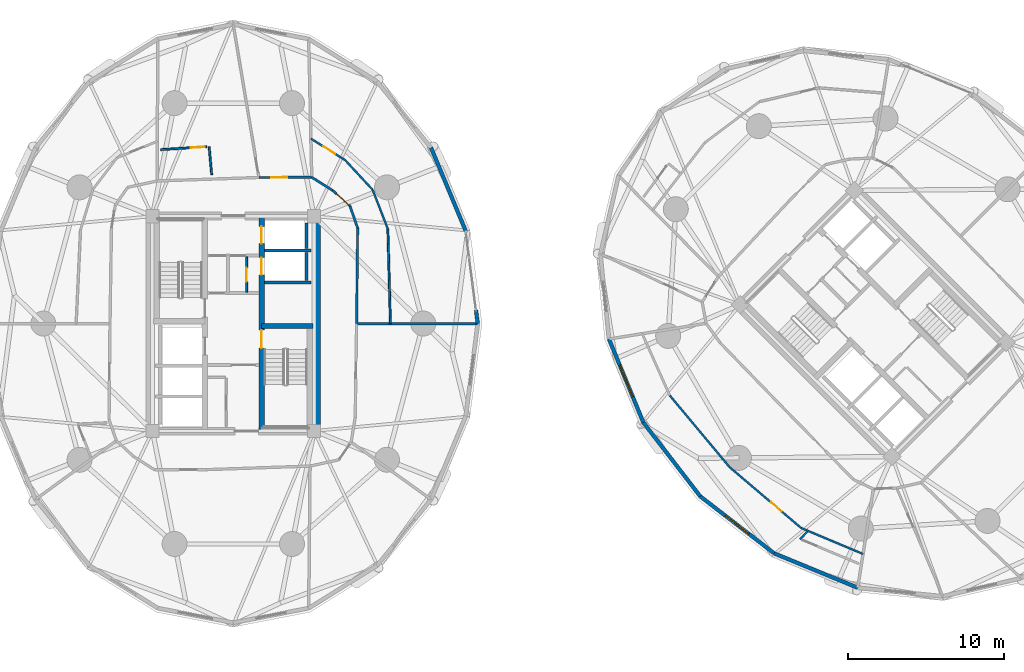
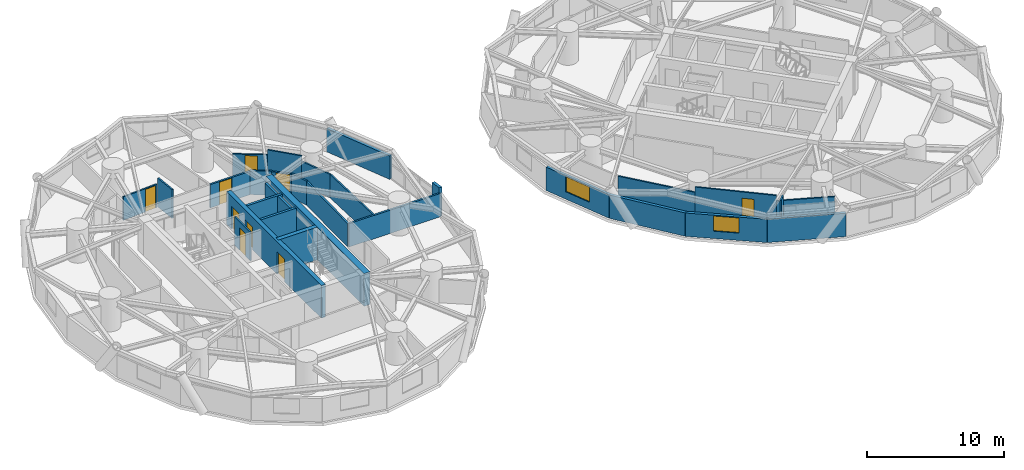
# One storey, part 10 of 16: 30 walls, 9 doors, 2 windows, 11 openings.
"""IFC4 building model written with IfcOpenShell, lengths in metres."""

from ifc_helpers import new_model, si_unit, direction, frame, frame_2d, origin, place, context, subcontext, project, spatial, rectangle, extrude, source, transform, mapped, material, layer, layer_set, type_object, element, fill, save


model = new_model("IFC4")

# Units and contexts
model_context = context("Model", 3, precision=1e-05, world=origin(), true_north=direction((0.0, 1.0)))
body_context = subcontext(model_context, "Body", "Model", "MODEL_VIEW")
ifc_project = project(units=[si_unit("LENGTHUNIT", "METRE"), si_unit("AREAUNIT", "SQUARE_METRE"), si_unit("VOLUMEUNIT", "CUBIC_METRE"), si_unit("PLANEANGLEUNIT", "RADIAN"), si_unit("MASSUNIT", "GRAM", prefix="KILO")], contexts=[model_context])

# Site, building, storey
site_placement = place(None, origin())
site = spatial("IfcSite", under=ifc_project, at=site_placement, CompositionType="ELEMENT")
building_placement = place(site_placement, origin())
building = spatial("IfcBuilding", under=site, at=building_placement, Name="Cununo Teusaquillo Station Towers", CompositionType="ELEMENT")
storey_placement = place(building_placement, frame((0.0, 0.0, 62.739990234375)))
storey = spatial("IfcBuildingStorey", under=building, at=storey_placement, Name="L19", CompositionType="ELEMENT", Elevation=62.739990234375)

# Walls
ifc_material_1 = material(Name="Concrete C50/60", Category="concrete")
ifc_layer_1 = layer(ifc_material_1, 0.199951171875)
ifc_layer_set_1 = layer_set([ifc_layer_1], Name="Concrete C50/60")
wall_type_1 = type_object("IfcWallType", Name="WL-CORE-200", PredefinedType="SHEAR", material=ifc_layer_set_1)
for number, where, z_axis, x_axis, name in (
    (1, (18.510009765625, 27.1298828125, 0.0), (0.0, 0.0, 1.0), (1.0, 0.0, 0.0), "L19 Tower A Low-Rise Lift Hoistway South Shear Wall"),
    (2, (18.510009765625, 29.175048828125, 0.0), (0.0, 0.0, 1.0), (1.0, 0.0, 0.0), "L19 Tower A Low-Rise Lift Hoistway Divider Shear Wall"),
):
    element("IfcWall", number, at=place(storey_placement, frame(where, z_axis=z_axis, x_axis=x_axis)), inside=storey, type_object=wall_type_1, Name=name, PredefinedType="SHEAR", context=body_context, shape_type="SweptSolid", body=[
        extrude(rectangle(XDim=2.969970703125, YDim=0.199951171875, at=frame_2d((1.48486328125, 0.0))), origin(), (0.0, 0.0, 1.0), 2.909912109375),
    ])
wall_1_placement = place(storey_placement, frame((21.179931640625, 27.25, 0.0), z_axis=(0.0, 0.0, 1.0), x_axis=(0.0, 1.0, 0.0)))
element("IfcWall", 3, at=wall_1_placement, inside=storey, type_object=wall_type_1, Name="L19 Tower A Low-Rise Lift 1 Shaft Rear Shear Wall", PredefinedType="SHEAR", context=body_context, shape_type="SweptSolid", body=[
    extrude(rectangle(XDim=1.804931640625, YDim=0.199951171875, at=frame_2d((0.90234375, 0.0))), origin(), (0.0, 0.0, 1.0), 2.909912109375),
])
wall_2_placement = place(storey_placement, frame((21.179931640625, 29.294921875, 0.0), z_axis=(0.0, 0.0, 1.0), x_axis=(0.0, 1.0, 0.0)))
element("IfcWall", 4, at=wall_2_placement, inside=storey, type_object=wall_type_1, Name="L19 Tower A Low-Rise Lift 2 Shaft Rear Shear Wall", PredefinedType="SHEAR", context=body_context, shape_type="SweptSolid", body=[
    extrude(rectangle(XDim=1.635009765625, YDim=0.199951171875, at=frame_2d((0.8173828125, 0.0))), origin(), (0.0, 0.0, 1.0), 2.909912109375),
])

# Wall, openings, doors
ifc_material_2 = material(Name="Concrete C50/60", Category="concrete")
ifc_layer_2 = layer(ifc_material_2, 0.35009765625)
ifc_layer_set_2 = layer_set([ifc_layer_2], Name="Concrete C50/60")
wall_type_2 = type_object("IfcWallType", Name="WL-CORE-350", PredefinedType="SHEAR", material=ifc_layer_set_2)
wall_3_placement = place(storey_placement, frame((18.31494140625, 17.60009765625, 0.0), z_axis=(0.0, 0.0, 1.0), x_axis=(0.0, 1.0, 0.0)))
wall_3 = element("IfcWall", 5, at=wall_3_placement, inside=storey, type_object=wall_type_2, Name="L19 Tower A Core Shear Wall IE", PredefinedType="SHEAR", context=body_context, shape_type="SweptSolid", body=[
    extrude(rectangle(XDim=13.7998046875, YDim=0.35009765625, at=frame_2d((6.89990234375, 0.0))), origin(), (0.0, 0.0, 1.0), 2.909912109375),
])
shared_shape_1 = source(origin(), body_context, "Body", "SweptSolid", [
    extrude(rectangle(XDim=1.10009765625, YDim=2.014892578125, at=frame_2d((0.550048828125, 1.00732421875))), frame((0.0, 0.18505859375, 0.0), z_axis=(0.0, -1.0, 0.0), x_axis=(1.0, 0.0, 0.0)), (0.0, 0.0, 1.0), 0.3701171875),
])
opening_1_placement = place(wall_3_placement, frame((10.02490234375, 0.0, 0.0)))
opening_1 = element("IfcOpeningElement", 6, at=opening_1_placement, cuts=wall_3, Name="Opening LD-01", PredefinedType="OPENING", context=body_context, shape_type="MappedRepresentation", body=[
    mapped(shared_shape_1, transform((0.0, 0.0, 0.0), x_axis=(1.0, 0.0, 0.0), y_axis=(0.0, 1.0, 0.0), z_axis=(0.0, 0.0, 1.0), scale=1.0)),
])
opening_2_placement = place(wall_3_placement, frame((12.02490234375, 0.0, 0.0)))
opening_2 = element("IfcOpeningElement", 7, at=opening_2_placement, cuts=wall_3, Name="Opening LD-01", PredefinedType="OPENING", context=body_context, shape_type="MappedRepresentation", body=[
    mapped(shared_shape_1, transform((0.0, 0.0, 0.0), x_axis=(1.0, 0.0, 0.0), y_axis=(0.0, 1.0, 0.0), z_axis=(0.0, 0.0, 1.0), scale=1.0)),
])
shared_shape_2 = source(origin(), body_context, "Body", "SweptSolid", [
    extrude(rectangle(XDim=1.14990234375, YDim=2.02001953125, at=frame_2d((0.574951171875, 1.010009765625))), frame((0.0, 0.18505859375, 0.0), z_axis=(0.0, -1.0, 0.0), x_axis=(1.0, 0.0, 0.0)), (0.0, 0.0, 1.0), 0.3701171875),
])
opening_3_placement = place(wall_3_placement, frame((5.330078125, 0.0, 0.0)))
opening_3 = element("IfcOpeningElement", 8, at=opening_3_placement, cuts=wall_3, Name="Opening D-ST1", PredefinedType="OPENING", context=body_context, shape_type="MappedRepresentation", body=[
    mapped(shared_shape_2, transform((0.0, 0.0, 0.0), x_axis=(1.0, 0.0, 0.0), y_axis=(0.0, 1.0, 0.0), z_axis=(0.0, 0.0, 1.0), scale=1.0)),
])
ifc_material_3 = material(Name="Galvanised fire-rated hollow steel door assembly", Category="steel")
door_type_1 = type_object("IfcDoorType", Name="DR-LIFT-1100", OperationType="SLIDING_TO_LEFT", PredefinedType="DOOR", material=ifc_material_3)
shared_shape_3 = source(origin(), body_context, "Body", "SweptSolid", [
    extrude(rectangle(XDim=1.10009765625, YDim=2.014892578125, at=frame_2d((0.550048828125, 1.00732421875))), frame((0.0, 0.02490234375, 0.0), z_axis=(0.0, -1.0, 0.0), x_axis=(1.0, 0.0, 0.0)), (0.0, 0.0, 1.0), 0.050048828125),
])
door_1_placement = place(opening_1_placement, origin())
door_1 = element("IfcDoor", 9, at=door_1_placement, inside=storey, type_object=door_type_1, Name="L19 Lift PL-T1-L1 Sliding Landing Door", OperationType="SLIDING_TO_LEFT", OverallHeight=2.014892578125, OverallWidth=1.10009765625, PredefinedType="DOOR", context=body_context, shape_type="MappedRepresentation", body=[
    mapped(shared_shape_3, transform((0.0, 0.0, 0.0), x_axis=(1.0, 0.0, 0.0), y_axis=(0.0, 1.0, 0.0), z_axis=(0.0, 0.0, 1.0), scale=1.0)),
])
fill(opening_1, door_1)
door_2_placement = place(opening_2_placement, origin())
door_2 = element("IfcDoor", 10, at=door_2_placement, inside=storey, type_object=door_type_1, Name="L19 Lift PL-T1-L2 Sliding Landing Door", OperationType="SLIDING_TO_RIGHT", OverallHeight=2.014892578125, OverallWidth=1.10009765625, PredefinedType="DOOR", context=body_context, shape_type="MappedRepresentation", body=[
    mapped(shared_shape_3, transform((0.0, 0.0, 0.0), x_axis=(1.0, 0.0, 0.0), y_axis=(0.0, 1.0, 0.0), z_axis=(0.0, 0.0, 1.0), scale=1.0)),
])
fill(opening_2, door_2)
ifc_material_4 = material(Name="Galvanised fire-rated hollow steel door assembly", Category="steel")
door_type_2 = type_object("IfcDoorType", Name="DR-STAIR-1150", OperationType="NOTDEFINED", PredefinedType="DOOR", material=ifc_material_4)
shared_shape_4 = source(origin(), body_context, "Body", "SweptSolid", [
    extrude(rectangle(XDim=1.14990234375, YDim=2.02001953125, at=frame_2d((0.574951171875, 1.010009765625))), frame((0.0, 0.02490234375, 0.0), z_axis=(0.0, -1.0, 0.0), x_axis=(1.0, 0.0, 0.0)), (0.0, 0.0, 1.0), 0.050048828125),
])
door_3_placement = place(opening_3_placement, origin())
door_3 = element("IfcDoor", 11, at=door_3_placement, inside=storey, type_object=door_type_2, Name="L19 Tower A Exit Stair 2 Fire Door", OperationType="SINGLE_SWING_LEFT", OverallHeight=2.02001953125, OverallWidth=1.14990234375, PredefinedType="DOOR", context=body_context, shape_type="MappedRepresentation", body=[
    mapped(shared_shape_4, transform((0.0, 0.0, 0.0), x_axis=(1.0, 0.0, 0.0), y_axis=(0.0, 1.0, 0.0), z_axis=(0.0, 0.0, 1.0), scale=1.0)),
])
fill(opening_3, door_3)

# Walls
wall_4_placement = place(storey_placement, frame((18.31494140625, 24.344970703125, 0.0), z_axis=(0.0, 0.0, 1.0), x_axis=(1.0, 0.0, 0.0)))
element("IfcWall", 12, at=wall_4_placement, inside=storey, type_object=wall_type_2, Name="L19 Tower A Core Shear Wall ST2N", PredefinedType="SHEAR", context=body_context, shape_type="SweptSolid", body=[
    extrude(rectangle(XDim=3.28515625, YDim=0.35009765625, at=frame_2d((1.642578125, 0.0))), origin(), (0.0, 0.0, 1.0), 2.909912109375),
])
ifc_material_5 = material(Name="Concrete C60/75", Category="concrete")
ifc_layer_3 = layer(ifc_material_5, 0.5)
ifc_layer_set_3 = layer_set([ifc_layer_3], Name="Concrete C60/75")
wall_type_3 = type_object("IfcWallType", Name="WL-CORE-500", PredefinedType="SHEAR", material=ifc_layer_set_3)
wall_5_placement = place(storey_placement, frame((21.85009765625, 17.35009765625, 0.0), z_axis=(0.0, 0.0, 1.0), x_axis=(0.0, 1.0, 0.0)))
element("IfcWall", 13, at=wall_5_placement, inside=storey, type_object=wall_type_3, Name="L19 Tower A Core Shear Wall E", PredefinedType="SHEAR", context=body_context, shape_type="SweptSolid", body=[
    extrude(rectangle(XDim=14.2998046875, YDim=0.5, at=frame_2d((7.14990234375, 0.0))), origin(), (0.0, 0.0, 1.0), 2.909912109375),
])
ifc_material_6 = material(Name="Precast concrete C40/50", Category="concrete")
ifc_layer_4 = layer(ifc_material_6, 0.239990234375)
ifc_layer_set_4 = layer_set([ifc_layer_4], Name="Precast concrete C40/50")
wall_type_4 = type_object("IfcWallType", Name="WL-EXT-240", PredefinedType="SOLIDWALL", material=ifc_layer_set_4)
wall_6_placement = place(storey_placement, frame((32.05126953125, 25.36279296875, 0.0), z_axis=(0.0, 0.0, 1.0), x_axis=(0.128523364007, -0.991706481225, 0.0)))
element("IfcWall", 14, at=wall_6_placement, inside=storey, type_object=wall_type_4, Name="L19 Tower A Column Pier Cladding Wall C00-PB", PredefinedType="SOLIDWALL", context=body_context, shape_type="SweptSolid", body=[
    extrude(rectangle(XDim=0.8701171875, YDim=0.239990234375, at=frame_2d((0.43505859375, 0.0))), origin(), (0.0, 0.0, 1.0), 2.554931640625),
])
wall_7_placement = place(storey_placement, frame((29.171630859375, 35.767822265625, 0.0), z_axis=(0.0, 0.0, 1.0), x_axis=(0.384348836956, -0.923187939442, 0.0)))
element("IfcWall", 15, at=wall_7_placement, inside=storey, type_object=wall_type_4, Name="L19 Tower A Exterior Facade Wall C01", PredefinedType="SOLIDWALL", context=body_context, shape_type="SweptSolid", body=[
    extrude(rectangle(XDim=5.78857421875, YDim=0.239990234375, at=frame_2d((2.894287109375, 0.0))), origin(), (0.0, 0.0, 1.0), 2.0791015625),
])

# Wall, opening, window
wall_8_placement = place(storey_placement, frame((42.77783203125, 18.155517578125, 0.0), z_axis=(0.0, 0.0, 1.0), x_axis=(-0.381027682565, 0.924563629567, 0.0)))
wall_8 = element("IfcWall", 16, at=wall_8_placement, inside=storey, type_object=wall_type_4, Name="L19 Tower B Exterior Facade Wall C08", PredefinedType="SOLIDWALL", context=body_context, shape_type="SweptSolid", body=[
    extrude(rectangle(XDim=5.78857421875, YDim=0.239990234375, at=frame_2d((2.894287109375, 0.0))), origin(), (0.0, 0.0, 1.0), 2.0791015625),
])
shared_shape_5 = source(origin(), body_context, "Body", "SweptSolid", [
    extrude(rectangle(XDim=2.199951171875, YDim=1.35009765625, at=frame_2d((1.10009765625, 0.675048828125))), frame((0.0, 0.1298828125, 0.0), z_axis=(0.0, -1.0, 0.0), x_axis=(1.0, 0.0, 0.0)), (0.0, 0.0, 1.0), 0.260009765625),
])
opening_4_placement = place(wall_8_placement, frame((1.7939453125, 0.0, 0.64990234375)))
opening_4 = element("IfcOpeningElement", 17, at=opening_4_placement, cuts=wall_8, Name="Opening WN-01", PredefinedType="OPENING", context=body_context, shape_type="MappedRepresentation", body=[
    mapped(shared_shape_5, transform((0.0, 0.0, 0.0), x_axis=(1.0, 0.0, 0.0), y_axis=(0.0, 1.0, 0.0), z_axis=(0.0, 0.0, 1.0), scale=1.0)),
])
ifc_material_7 = material(Name="Ceramic-fritted dark low-E double glazing", Category="glass")
window_type_1 = type_object("IfcWindowType", Name="WIN-FRIT-2200", PartitioningType="DOUBLE_PANEL_VERTICAL", PredefinedType="WINDOW", material=ifc_material_7)
shared_shape_6 = source(origin(), body_context, "Body", "SweptSolid", [
    extrude(rectangle(XDim=2.199951171875, YDim=1.35009765625, at=frame_2d((1.10009765625, 0.675048828125))), frame((0.0, 0.030029296875, 0.0), z_axis=(0.0, -1.0, 0.0), x_axis=(1.0, 0.0, 0.0)), (0.0, 0.0, 1.0), 0.06005859375),
])
window_1_placement = place(opening_4_placement, origin())
window_1 = element("IfcWindow", 18, at=window_1_placement, inside=storey, type_object=window_type_1, Name="L19 Tower B Facade Window C08", OverallHeight=1.35009765625, OverallWidth=2.199951171875, PartitioningType="DOUBLE_PANEL_VERTICAL", PredefinedType="WINDOW", context=body_context, shape_type="MappedRepresentation", body=[
    mapped(shared_shape_6, transform((0.0, 0.0, 0.0), x_axis=(1.0, 0.0, 0.0), y_axis=(0.0, 1.0, 0.0), z_axis=(0.0, 0.0, 1.0), scale=1.0)),
])
fill(opening_4, window_1)

# Wall
wall_9_placement = place(storey_placement, frame((46.424560546875, 13.424560546875, 0.0), z_axis=(0.0, 0.0, 1.0), x_axis=(-0.610502519057, 0.792014314407, 0.0)))
element("IfcWall", 19, at=wall_9_placement, inside=storey, type_object=wall_type_4, Name="L19 Tower B Exterior Facade Wall C09", PredefinedType="SOLIDWALL", context=body_context, shape_type="SweptSolid", body=[
    extrude(rectangle(XDim=5.973388671875, YDim=0.239990234375, at=frame_2d((2.98681640625, 0.0))), origin(), (0.0, 0.0, 1.0), 2.0791015625),
])

# Wall, opening, window
wall_10_placement = place(storey_placement, frame((51.155517578125, 9.77783203125, 0.0), z_axis=(0.0, 0.0, 1.0), x_axis=(-0.792014314407, 0.610502519057, 0.0)))
wall_10 = element("IfcWall", 20, at=wall_10_placement, inside=storey, type_object=wall_type_4, Name="L19 Tower B Exterior Facade Wall C10", PredefinedType="SOLIDWALL", context=body_context, shape_type="SweptSolid", body=[
    extrude(rectangle(XDim=5.973388671875, YDim=0.239990234375, at=frame_2d((2.98681640625, 0.0))), origin(), (0.0, 0.0, 1.0), 2.0791015625),
])
shared_shape_7 = source(origin(), body_context, "Body", "SweptSolid", [
    extrude(rectangle(XDim=1.89990234375, YDim=1.35009765625, at=frame_2d((0.949951171875, 0.675048828125))), frame((0.0, 0.1298828125, 0.0), z_axis=(0.0, -1.0, 0.0), x_axis=(1.0, 0.0, 0.0)), (0.0, 0.0, 1.0), 0.260009765625),
])
opening_5_placement = place(wall_10_placement, frame((2.037109375, 0.0, 0.64990234375)))
opening_5 = element("IfcOpeningElement", 21, at=opening_5_placement, cuts=wall_10, Name="Opening WN-02", PredefinedType="OPENING", context=body_context, shape_type="MappedRepresentation", body=[
    mapped(shared_shape_7, transform((0.0, 0.0, 0.0), x_axis=(1.0, 0.0, 0.0), y_axis=(0.0, 1.0, 0.0), z_axis=(0.0, 0.0, 1.0), scale=1.0)),
])
ifc_material_8 = material(Name="Operable acoustic tinted low-E double glazing", Category="glass")
window_type_2 = type_object("IfcWindowType", Name="WIN-OPER-1900", PartitioningType="DOUBLE_PANEL_VERTICAL", PredefinedType="WINDOW", material=ifc_material_8)
shared_shape_8 = source(origin(), body_context, "Body", "SweptSolid", [
    extrude(rectangle(XDim=1.89990234375, YDim=1.35009765625, at=frame_2d((0.949951171875, 0.675048828125))), frame((0.0, 0.030029296875, 0.0), z_axis=(0.0, -1.0, 0.0), x_axis=(1.0, 0.0, 0.0)), (0.0, 0.0, 1.0), 0.06005859375),
])
window_2_placement = place(opening_5_placement, origin())
window_2 = element("IfcWindow", 22, at=window_2_placement, inside=storey, type_object=window_type_2, Name="L19 Tower B Facade Window C10", OverallHeight=1.35009765625, OverallWidth=1.89990234375, PartitioningType="DOUBLE_PANEL_VERTICAL", PredefinedType="WINDOW", context=body_context, shape_type="MappedRepresentation", body=[
    mapped(shared_shape_8, transform((0.0, 0.0, 0.0), x_axis=(1.0, 0.0, 0.0), y_axis=(0.0, 1.0, 0.0), z_axis=(0.0, 0.0, 1.0), scale=1.0)),
])
fill(opening_5, window_2)

# Wall
wall_11_placement = place(storey_placement, frame((56.50732421875, 7.572265625, 0.0), z_axis=(0.0, 0.0, 1.0), x_axis=(-0.924563629567, 0.381027682565, 0.0)))
element("IfcWall", 23, at=wall_11_placement, inside=storey, type_object=wall_type_4, Name="L19 Tower B Exterior Facade Wall C11", PredefinedType="SOLIDWALL", context=body_context, shape_type="SweptSolid", body=[
    extrude(rectangle(XDim=5.78857421875, YDim=0.239990234375, at=frame_2d((2.894287109375, 0.0))), origin(), (0.0, 0.0, 1.0), 2.0791015625),
])

# Wall, opening, door
ifc_material_9 = material(Name="Fire-rated gypsum plasterboard partition assembly", Category="gypsum")
ifc_layer_5 = layer(ifc_material_9, 0.125)
ifc_layer_set_5 = layer_set([ifc_layer_5], Name="Fire-rated gypsum plasterboard partition assembly")
wall_type_5 = type_object("IfcWallType", Name="WL-PART-125", PredefinedType="PARTITIONING", material=ifc_layer_set_5)
wall_12_placement = place(storey_placement, frame((17.35009765625, 26.52001953125, 0.0), z_axis=(0.0, 0.0, 1.0), x_axis=(0.0, 1.0, 0.0)))
wall_12 = element("IfcWall", 24, at=wall_12_placement, inside=storey, type_object=wall_type_5, Name="L19 Tower A Core Vertical Split Wall", PredefinedType="PARTITIONING", context=body_context, shape_type="SweptSolid", body=[
    extrude(rectangle(XDim=2.260009765625, YDim=0.125, at=frame_2d((1.1298828125, 0.0))), origin(), (0.0, 0.0, 1.0), 2.554931640625),
])
shared_shape_9 = source(origin(), body_context, "Body", "SweptSolid", [
    extrude(rectangle(XDim=0.89990234375, YDim=2.0048828125, at=frame_2d((0.449951171875, 1.00244140625))), frame((0.0, 0.072509765625, 0.0), z_axis=(0.0, -1.0, 0.0), x_axis=(1.0, 0.0, 0.0)), (0.0, 0.0, 1.0), 0.14501953125),
])
opening_6_placement = place(wall_12_placement, frame((0.64990234375, 0.0, 0.0)))
opening_6 = element("IfcOpeningElement", 25, at=opening_6_placement, cuts=wall_12, Name="Opening D-SR1", PredefinedType="OPENING", context=body_context, shape_type="MappedRepresentation", body=[
    mapped(shared_shape_9, transform((0.0, 0.0, 0.0), x_axis=(1.0, 0.0, 0.0), y_axis=(0.0, 1.0, 0.0), z_axis=(0.0, 0.0, 1.0), scale=1.0)),
])
ifc_material_10 = material(Name="Galvanised fire-rated hollow steel door assembly", Category="steel")
door_type_3 = type_object("IfcDoorType", Name="DR-STORE-900", OperationType="NOTDEFINED", PredefinedType="DOOR", material=ifc_material_10)
shared_shape_10 = source(origin(), body_context, "Body", "SweptSolid", [
    extrude(rectangle(XDim=0.89990234375, YDim=2.0048828125, at=frame_2d((0.449951171875, 1.00244140625))), frame((0.0, 0.02490234375, 0.0), z_axis=(0.0, -1.0, 0.0), x_axis=(1.0, 0.0, 0.0)), (0.0, 0.0, 1.0), 0.050048828125),
])
door_4_placement = place(opening_6_placement, origin())
door_4 = element("IfcDoor", 26, at=door_4_placement, inside=storey, type_object=door_type_3, Name="L19 Tower A Core Electrical Room Door", OperationType="SINGLE_SWING_RIGHT", OverallHeight=2.0048828125, OverallWidth=0.89990234375, PredefinedType="DOOR", context=body_context, shape_type="MappedRepresentation", body=[
    mapped(shared_shape_10, transform((0.0, 0.0, 0.0), x_axis=(1.0, 0.0, 0.0), y_axis=(0.0, 1.0, 0.0), z_axis=(0.0, 0.0, 1.0), scale=1.0)),
])
fill(opening_6, door_4)

# Walls
wall_13_placement = place(storey_placement, frame((26.568115234375, 24.5, 0.0), z_axis=(0.0, 0.0, 1.0), x_axis=(-0.027187947422, 0.999630339433, 0.0)))
element("IfcWall", 27, at=wall_13_placement, inside=storey, type_object=wall_type_5, Name="L19 Tower A Thermal Hydrotherapy Spa Hall Concentric Partition Wall C00", PredefinedType="PARTITIONING", context=body_context, shape_type="SweptSolid", body=[
    extrude(rectangle(XDim=6.061279296875, YDim=0.125, at=frame_2d((3.03076171875, 0.0))), origin(), (0.0, 0.0, 1.0), 2.0791015625),
])
wall_14_placement = place(storey_placement, frame((26.4033203125, 30.55908203125, 0.0), z_axis=(0.0, 0.0, 1.0), x_axis=(-0.361637165216, 0.932318915787, 0.0)))
element("IfcWall", 28, at=wall_14_placement, inside=storey, type_object=wall_type_5, Name="L19 Tower A Thermal Hydrotherapy Spa Hall Concentric Partition Wall C01", PredefinedType="PARTITIONING", context=body_context, shape_type="SweptSolid", body=[
    extrude(rectangle(XDim=2.6943359375, YDim=0.125, at=frame_2d((1.34716796875, 0.0))), origin(), (0.0, 0.0, 1.0), 2.0791015625),
])
wall_15_placement = place(storey_placement, frame((25.428955078125, 33.071044921875, 0.0), z_axis=(0.0, 0.0, 1.0), x_axis=(-0.679623863187, 0.733560770889, 0.0)))
element("IfcWall", 29, at=wall_15_placement, inside=storey, type_object=wall_type_5, Name="L19 Tower A Thermal Hydrotherapy Spa Hall Concentric Partition Wall C02", PredefinedType="PARTITIONING", context=body_context, shape_type="SweptSolid", body=[
    extrude(rectangle(XDim=2.59375, YDim=0.125, at=frame_2d((1.296875, 0.0))), origin(), (0.0, 0.0, 1.0), 2.554931640625),
])

# Wall, opening, door
wall_16_placement = place(storey_placement, frame((23.666259765625, 34.9736328125, 0.0), z_axis=(0.0, 0.0, 1.0), x_axis=(-0.847319394731, 0.531083650014, 0.0)))
wall_16 = element("IfcWall", 30, at=wall_16_placement, inside=storey, type_object=wall_type_5, Name="L19 Tower A Thermal Hydrotherapy Spa Hall Concentric Partition Wall C03", PredefinedType="PARTITIONING", context=body_context, shape_type="SweptSolid", body=[
    extrude(rectangle(XDim=2.588623046875, YDim=0.125, at=frame_2d((1.29443359375, 0.0))), origin(), (0.0, 0.0, 1.0), 2.125),
])
opening_7_placement = place(wall_16_placement, frame((0.75390625, 0.0, 0.0)))
opening_7 = element("IfcOpeningElement", 31, at=opening_7_placement, cuts=wall_16, Name="Opening D-IN1", PredefinedType="OPENING", context=body_context, shape_type="MappedRepresentation", body=[
    mapped(shared_shape_9, transform((0.0, 0.0, 0.0), x_axis=(1.0, 0.0, 0.0), y_axis=(0.0, 1.0, 0.0), z_axis=(0.0, 0.0, 1.0), scale=1.0)),
])
ifc_material_11 = material(Name="Acoustic solid-core hardwood leaf assembly", Category="wood")
door_type_4 = type_object("IfcDoorType", Name="DR-INT-900", OperationType="NOTDEFINED", PredefinedType="DOOR", material=ifc_material_11)
door_5_placement = place(opening_7_placement, origin())
door_5 = element("IfcDoor", 32, at=door_5_placement, inside=storey, type_object=door_type_4, Name="L19 Tower A Thermal Hydrotherapy Spa Hall Connecting Door", OperationType="SINGLE_SWING_RIGHT", OverallHeight=2.0048828125, OverallWidth=0.89990234375, PredefinedType="DOOR", context=body_context, shape_type="MappedRepresentation", body=[
    mapped(shared_shape_10, transform((0.0, 0.0, 0.0), x_axis=(1.0, 0.0, 0.0), y_axis=(0.0, 1.0, 0.0), z_axis=(0.0, 0.0, 1.0), scale=1.0)),
])
fill(opening_7, door_5)

# Wall
wall_17_placement = place(storey_placement, frame((15.1162109375, 34.041015625, 0.0), z_axis=(0.0, 0.0, 1.0), x_axis=(-0.091011265315, 0.995849862974, 0.0)))
element("IfcWall", 33, at=wall_17_placement, inside=storey, type_object=wall_type_5, Name="L19 Tower A S02 En-suite Side Wall", PredefinedType="PARTITIONING", context=body_context, shape_type="SweptSolid", body=[
    extrude(rectangle(XDim=1.805419921875, YDim=0.125, at=frame_2d((0.90283203125, 0.0))), origin(), (0.0, 0.0, 1.0), 2.554931640625),
])

# Wall, opening, door
wall_18_placement = place(storey_placement, frame((14.798095703125, 35.829345703125, 0.0), z_axis=(0.0, 0.0, 1.0), x_axis=(-0.998098224752, -0.061643602637, 0.0)))
wall_18 = element("IfcWall", 34, at=wall_18_placement, inside=storey, type_object=wall_type_5, Name="L19 Tower A S02 En-suite Back Wall", PredefinedType="PARTITIONING", context=body_context, shape_type="SweptSolid", body=[
    extrude(rectangle(XDim=2.95849609375, YDim=0.125, at=frame_2d((1.479248046875, 0.0))), origin(), (0.0, 0.0, 1.0), 2.0791015625),
])
opening_8_placement = place(wall_18_placement, frame((0.1201171875, 0.0, 0.0)))
opening_8 = element("IfcOpeningElement", 35, at=opening_8_placement, cuts=wall_18, Name="Opening D-IN1", PredefinedType="OPENING", context=body_context, shape_type="MappedRepresentation", body=[
    mapped(shared_shape_9, transform((0.0, 0.0, 0.0), x_axis=(1.0, 0.0, 0.0), y_axis=(0.0, 1.0, 0.0), z_axis=(0.0, 0.0, 1.0), scale=1.0)),
])
door_6_placement = place(opening_8_placement, origin())
door_6 = element("IfcDoor", 36, at=door_6_placement, inside=storey, type_object=door_type_4, Name="L19 Tower A S02 En-suite Bathroom Door", OperationType="SINGLE_SWING_LEFT", OverallHeight=2.0048828125, OverallWidth=0.89990234375, PredefinedType="DOOR", context=body_context, shape_type="MappedRepresentation", body=[
    mapped(shared_shape_10, transform((0.0, 0.0, 0.0), x_axis=(1.0, 0.0, 0.0), y_axis=(0.0, 1.0, 0.0), z_axis=(0.0, 0.0, 1.0), scale=1.0)),
])
fill(opening_8, door_6)

# Wall
wall_19_placement = place(storey_placement, frame((44.465087890625, 19.894775390625, 0.0), z_axis=(0.0, 0.0, 1.0), x_axis=(0.640822159577, -0.767689364128, 0.0)))
element("IfcWall", 37, at=wall_19_placement, inside=storey, type_object=wall_type_5, Name="L19 Tower B Executive Wellness Hotel Suite Concentric Partition Wall C09", PredefinedType="PARTITIONING", context=body_context, shape_type="SweptSolid", body=[
    extrude(rectangle(XDim=5.98486328125, YDim=0.125, at=frame_2d((2.992431640625, 0.0))), origin(), (0.0, 0.0, 1.0), 2.0791015625),
])

# Wall, opening, door
wall_20_placement = place(storey_placement, frame((48.30029296875, 15.30029296875, 0.0), z_axis=(0.0, 0.0, 1.0), x_axis=(0.761710135851, -0.647917949236, 0.0)))
wall_20 = element("IfcWall", 38, at=wall_20_placement, inside=storey, type_object=wall_type_5, Name="L19 Tower B Executive Wellness Hotel Suite Concentric Partition Wall C10", PredefinedType="PARTITIONING", context=body_context, shape_type="SweptSolid", body=[
    extrude(rectangle(XDim=6.020263671875, YDim=0.125, at=frame_2d((3.01025390625, 0.0))), origin(), (0.0, 0.0, 1.0), 2.554931640625),
])
opening_9_placement = place(wall_20_placement, frame((3.47509765625, 0.0, 0.0)))
opening_9 = element("IfcOpeningElement", 39, at=opening_9_placement, cuts=wall_20, Name="Opening D-IN1", PredefinedType="OPENING", context=body_context, shape_type="MappedRepresentation", body=[
    mapped(shared_shape_9, transform((0.0, 0.0, 0.0), x_axis=(1.0, 0.0, 0.0), y_axis=(0.0, 1.0, 0.0), z_axis=(0.0, 0.0, 1.0), scale=1.0)),
])
door_7_placement = place(opening_9_placement, origin())
door_7 = element("IfcDoor", 40, at=door_7_placement, inside=storey, type_object=door_type_4, Name="L19 Tower B Executive Wellness Hotel Suite Connecting Door", OperationType="SINGLE_SWING_RIGHT", OverallHeight=2.0048828125, OverallWidth=0.89990234375, PredefinedType="DOOR", context=body_context, shape_type="MappedRepresentation", body=[
    mapped(shared_shape_10, transform((0.0, 0.0, 0.0), x_axis=(1.0, 0.0, 0.0), y_axis=(0.0, 1.0, 0.0), z_axis=(0.0, 0.0, 1.0), scale=1.0)),
])
fill(opening_9, door_7)

# Walls
wall_21_placement = place(storey_placement, frame((52.885986328125, 11.399658203125, 0.0), z_axis=(0.0, 0.0, 1.0), x_axis=(0.922079377612, -0.38700080282, 0.0)))
element("IfcWall", 41, at=wall_21_placement, inside=storey, type_object=wall_type_5, Name="L19 Tower B Executive Wellness Hotel Suite Concentric Partition Wall C11", PredefinedType="PARTITIONING", context=body_context, shape_type="SweptSolid", body=[
    extrude(rectangle(XDim=4.2998046875, YDim=0.125, at=frame_2d((2.14990234375, 0.0))), origin(), (0.0, 0.0, 1.0), 2.0791015625),
])
wall_22_placement = place(storey_placement, frame((53.27490234375, 11.166748046875, 0.0), z_axis=(0.0, 0.0, 1.0), x_axis=(-0.686191026002, -0.727421388079, 0.0)))
element("IfcWall", 42, at=wall_22_placement, inside=storey, type_object=wall_type_5, Name="L19 Tower B S03 En-suite Side Wall", PredefinedType="PARTITIONING", context=body_context, shape_type="SweptSolid", body=[
    extrude(rectangle(XDim=0.6630859375, YDim=0.125, at=frame_2d((0.33154296875, 0.0))), origin(), (0.0, 0.0, 1.0), 2.554931640625),
])
ifc_material_12 = material(Name="Fire-rated gypsum plasterboard partition assembly", Category="gypsum")
ifc_layer_6 = layer(ifc_material_12, 0.14990234375)
ifc_layer_set_6 = layer_set([ifc_layer_6], Name="Fire-rated gypsum plasterboard partition assembly")
wall_type_6 = type_object("IfcWallType", Name="WL-PART-150", PredefinedType="PARTITIONING", material=ifc_layer_set_6)
wall_23_placement = place(storey_placement, frame((24.39990234375, 24.5, 0.0), z_axis=(0.0, 0.0, 1.0), x_axis=(0.011299841544, 0.999936154752, 0.0)))
element("IfcWall", 43, at=wall_23_placement, inside=storey, type_object=wall_type_6, Name="L19 Tower A Corridor Ring Wall C00", PredefinedType="PARTITIONING", context=body_context, shape_type="SweptSolid", body=[
    extrude(rectangle(XDim=6.114501953125, YDim=0.14990234375, at=frame_2d((3.05712890625, 0.0))), origin(), (0.0, 0.0, 1.0), 2.0791015625),
])
wall_24_placement = place(storey_placement, frame((24.468994140625, 30.614013671875, 0.0), z_axis=(0.0, 0.0, 1.0), x_axis=(-0.327228335485, 0.944945298129, 0.0)))
element("IfcWall", 44, at=wall_24_placement, inside=storey, type_object=wall_type_6, Name="L19 Tower A Corridor Ring Wall C01", PredefinedType="PARTITIONING", context=body_context, shape_type="SweptSolid", body=[
    extrude(rectangle(XDim=1.4951171875, YDim=0.14990234375, at=frame_2d((0.74755859375, 0.0))), origin(), (0.0, 0.0, 1.0), 2.125),
])

# Wall, opening, door
wall_25_placement = place(storey_placement, frame((23.979736328125, 32.02685546875, 0.0), z_axis=(0.0, 0.0, 1.0), x_axis=(-0.742353224332, 0.670008724065, 0.0)))
wall_25 = element("IfcWall", 45, at=wall_25_placement, inside=storey, type_object=wall_type_6, Name="L19 Tower A Corridor Ring Wall C02", PredefinedType="PARTITIONING", context=body_context, shape_type="SweptSolid", body=[
    extrude(rectangle(XDim=1.48486328125, YDim=0.14990234375, at=frame_2d((0.742431640625, 0.0))), origin(), (0.0, 0.0, 1.0), 2.0791015625),
])
shared_shape_11 = source(origin(), body_context, "Body", "SweptSolid", [
    extrude(rectangle(XDim=1.050048828125, YDim=2.014892578125, at=frame_2d((0.52490234375, 1.00732421875))), frame((0.0, 0.0849609375, 0.0), z_axis=(0.0, -1.0, 0.0), x_axis=(1.0, 0.0, 0.0)), (0.0, 0.0, 1.0), 0.169921875),
])
opening_10_placement = place(wall_25_placement, frame((0.1201171875, 0.0, 0.0)))
opening_10 = element("IfcOpeningElement", 46, at=opening_10_placement, cuts=wall_25, Name="Opening D-SU1", PredefinedType="OPENING", context=body_context, shape_type="MappedRepresentation", body=[
    mapped(shared_shape_11, transform((0.0, 0.0, 0.0), x_axis=(1.0, 0.0, 0.0), y_axis=(0.0, 1.0, 0.0), z_axis=(0.0, 0.0, 1.0), scale=1.0)),
])
ifc_material_13 = material(Name="Acoustic solid-core hardwood leaf assembly", Category="wood")
door_type_5 = type_object("IfcDoorType", Name="DR-SUITE-1050", OperationType="NOTDEFINED", PredefinedType="DOOR", material=ifc_material_13)
shared_shape_12 = source(origin(), body_context, "Body", "SweptSolid", [
    extrude(rectangle(XDim=1.050048828125, YDim=2.014892578125, at=frame_2d((0.52490234375, 1.00732421875))), frame((0.0, 0.02490234375, 0.0), z_axis=(0.0, -1.0, 0.0), x_axis=(1.0, 0.0, 0.0)), (0.0, 0.0, 1.0), 0.050048828125),
])
door_8_placement = place(opening_10_placement, origin())
door_8 = element("IfcDoor", 47, at=door_8_placement, inside=storey, type_object=door_type_5, Name="L19 Tower A Thermal Hydrotherapy Spa Hall Entrance Door", OperationType="SINGLE_SWING_LEFT", OverallHeight=2.014892578125, OverallWidth=1.050048828125, PredefinedType="DOOR", context=body_context, shape_type="MappedRepresentation", body=[
    mapped(shared_shape_12, transform((0.0, 0.0, 0.0), x_axis=(1.0, 0.0, 0.0), y_axis=(0.0, 1.0, 0.0), z_axis=(0.0, 0.0, 1.0), scale=1.0)),
])
fill(opening_10, door_8)

# Wall
wall_26_placement = place(storey_placement, frame((22.87744140625, 33.021728515625, 0.0), z_axis=(0.0, 0.0, 1.0), x_axis=(-0.845895608855, 0.533348496689, 0.0)))
element("IfcWall", 48, at=wall_26_placement, inside=storey, type_object=wall_type_6, Name="L19 Tower A Corridor Ring Wall C03", PredefinedType="PARTITIONING", context=body_context, shape_type="SweptSolid", body=[
    extrude(rectangle(XDim=1.5966796875, YDim=0.14990234375, at=frame_2d((0.79833984375, 0.0))), origin(), (0.0, 0.0, 1.0), 2.125),
])

# Wall, opening, door
wall_27_placement = place(storey_placement, frame((21.52685546875, 33.873291015625, 0.0), z_axis=(0.0, 0.0, 1.0), x_axis=(-0.999991838845, -0.004040079574, 0.0)))
wall_27 = element("IfcWall", 49, at=wall_27_placement, inside=storey, type_object=wall_type_6, Name="L19 Tower A Corridor Ring Wall C04", PredefinedType="PARTITIONING", context=body_context, shape_type="SweptSolid", body=[
    extrude(rectangle(XDim=3.384033203125, YDim=0.14990234375, at=frame_2d((1.69189453125, 0.0))), origin(), (0.0, 0.0, 1.0), 2.0791015625),
])
opening_11_placement = place(wall_27_placement, frame((1.5595703125, 0.0, 0.0)))
opening_11 = element("IfcOpeningElement", 50, at=opening_11_placement, cuts=wall_27, Name="Opening D-SU1", PredefinedType="OPENING", context=body_context, shape_type="MappedRepresentation", body=[
    mapped(shared_shape_11, transform((0.0, 0.0, 0.0), x_axis=(1.0, 0.0, 0.0), y_axis=(0.0, 1.0, 0.0), z_axis=(0.0, 0.0, 1.0), scale=1.0)),
])
door_9_placement = place(opening_11_placement, origin())
door_9 = element("IfcDoor", 51, at=door_9_placement, inside=storey, type_object=door_type_5, Name="L19 Tower A Premier Spa Hotel Suite Entrance Door", OperationType="SINGLE_SWING_LEFT", OverallHeight=2.014892578125, OverallWidth=1.050048828125, PredefinedType="DOOR", context=body_context, shape_type="MappedRepresentation", body=[
    mapped(shared_shape_12, transform((0.0, 0.0, 0.0), x_axis=(1.0, 0.0, 0.0), y_axis=(0.0, 1.0, 0.0), z_axis=(0.0, 0.0, 1.0), scale=1.0)),
])
fill(opening_11, door_9)

# Wall
ifc_material_14 = material(Name="Fire-rated gypsum plasterboard partition assembly", Category="gypsum")
ifc_layer_7 = layer(ifc_material_14, 0.159912109375)
ifc_layer_set_7 = layer_set([ifc_layer_7], Name="Fire-rated gypsum plasterboard partition assembly")
wall_type_7 = type_object("IfcWallType", Name="WL-PART-160", PredefinedType="PARTITIONING", material=ifc_layer_set_7)
wall_28_placement = place(storey_placement, frame((24.39990234375, 24.5, 0.0), z_axis=(0.0, 0.0, 1.0), x_axis=(1.0, 0.0, 0.0)))
element("IfcWall", 52, at=wall_28_placement, inside=storey, type_object=wall_type_7, Name="L19 Tower A Radial Suite Partition R01", PredefinedType="PARTITIONING", context=body_context, shape_type="SweptSolid", body=[
    extrude(rectangle(XDim=7.7431640625, YDim=0.159912109375, at=frame_2d((3.87158203125, 0.0))), origin(), (0.0, 0.0, 1.0), 2.0791015625),
])

save(model, "model.ifc")
